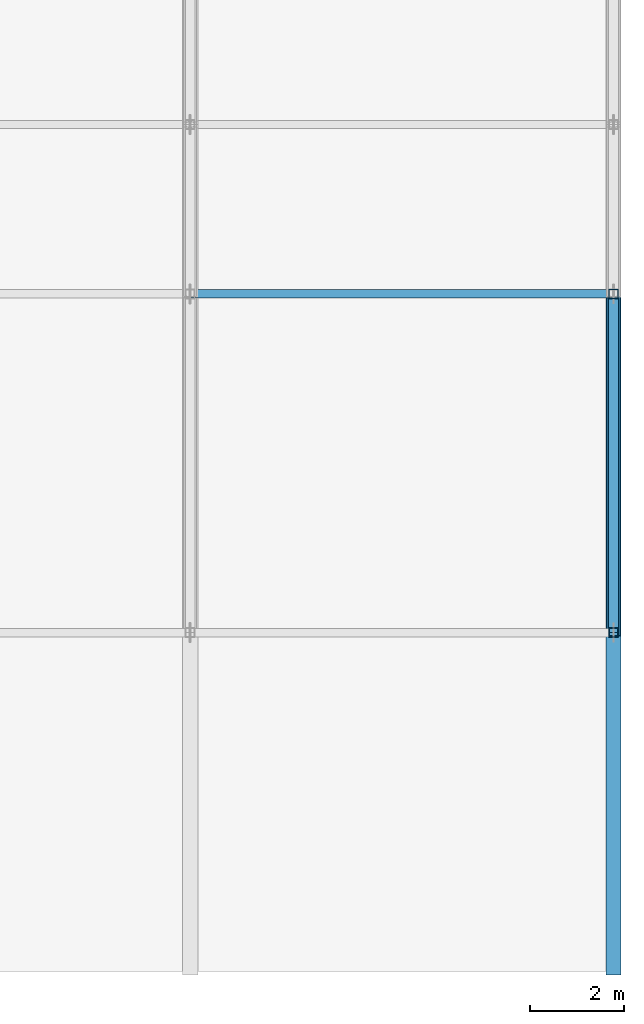
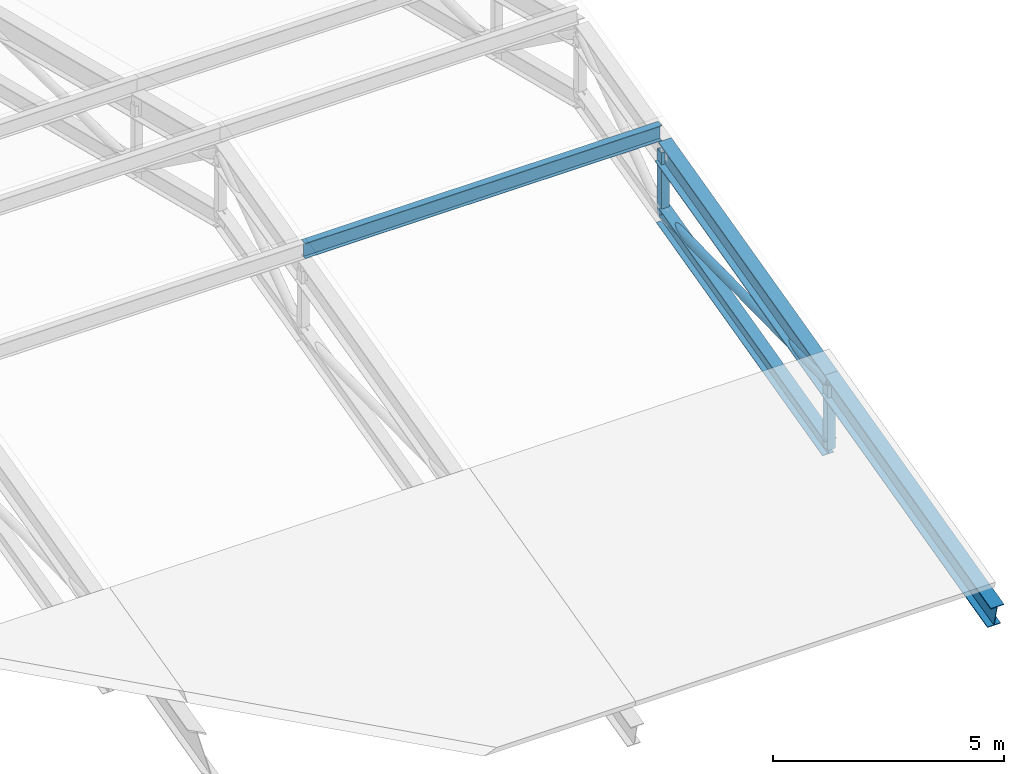
# One storey, part 46 of 124: 7 members.
"""IFC4 building model written with IfcOpenShell, lengths in metres."""

from ifc_helpers import new_model, si_unit, direction, frame, origin, origin_2d, place, context, subcontext, project, spatial, hollow_rectangle, hollow_circle, i_section, extrude, material, material_profile, profile_set, type_object, element, save


model = new_model("IFC4")

# Units and contexts
model_context = context("Model", 3, precision=1e-05, world=origin(), true_north=direction((0.0, 1.0)))
body_context = subcontext(model_context, "Body", "Model", "MODEL_VIEW")
ifc_project = project(units=[si_unit("LENGTHUNIT", "METRE"), si_unit("AREAUNIT", "SQUARE_METRE"), si_unit("VOLUMEUNIT", "CUBIC_METRE"), si_unit("PLANEANGLEUNIT", "RADIAN"), si_unit("MASSUNIT", "GRAM", prefix="KILO")], contexts=[model_context])

# Site, building, storey
site_placement = place(None, origin())
site = spatial("IfcSite", under=ifc_project, at=site_placement, CompositionType="ELEMENT")
building_placement = place(site_placement, origin())
building = spatial("IfcBuilding", under=site, at=building_placement, Name="Celestram Park Convention Centre", CompositionType="ELEMENT")
storey_placement = place(building_placement, frame((0.0, 0.0, 15.300048828125)))
storey = spatial("IfcBuildingStorey", under=building, at=storey_placement, Name="L03", CompositionType="ELEMENT", Elevation=15.300048828125)

# Members
ifc_material_1 = material(Name="Steel ASTM A500 Grade C", Category="steel")
ifc_material_profile_1 = material_profile(ifc_material_1, hollow_circle(Radius=0.109619140625, WallThickness=0.008056640625, at=origin_2d()), Name="CHS219X8")
ifc_profile_set_1 = profile_set([ifc_material_profile_1], Name="Steel ASTM A500 Grade C")
member_type_1 = type_object("IfcMemberType", Name="STR-BRC-CHS219", PredefinedType="BRACE", material=ifc_profile_set_1)
member_1_placement = place(storey_placement, frame((216.0, 7.199951171875, 0.907958984375), z_axis=(0.0, 0.999903373607, 0.013901203187), x_axis=(-1.0, 0.0, 0.0)))
element("IfcMember", 1, at=member_1_placement, inside=storey, type_object=member_type_1, Name="V3 arch web diagonal", PredefinedType="BRACE", context=body_context, shape_type="SweptSolid", body=[
    extrude(hollow_circle(Radius=0.109619140625, WallThickness=0.008056640625, at=origin_2d()), origin(), (0.0, 0.0, 1.0), 7.20068359375),
])
ifc_material_2 = material(Name="Steel ASTM A992 Grade 50", Category="steel")
ifc_material_profile_2 = material_profile(ifc_material_2, i_section(OverallWidth=0.281982421875, OverallDepth=0.467041015625, WebThickness=0.01220703125, FlangeThickness=0.01953125, at=origin_2d()), Name="W18X86")
ifc_profile_set_2 = profile_set([ifc_material_profile_2], Name="Steel ASTM A992 Grade 50")
member_type_2 = type_object("IfcMemberType", Name="STR-CHD-W18X86", PredefinedType="CHORD", material=ifc_profile_set_2)
member_2_placement = place(storey_placement, frame((216.0, 7.199951171875, -0.7919921875), z_axis=(0.0, 0.970140565046, 0.242543365301), x_axis=(-1.0, 0.0, 0.0)))
element("IfcMember", 2, at=member_2_placement, inside=storey, type_object=member_type_2, Name="V3 arch bottom chord", PredefinedType="CHORD", context=body_context, shape_type="SweptSolid", body=[
    extrude(i_section(OverallWidth=0.281982421875, OverallDepth=0.467041015625, WebThickness=0.01220703125, FlangeThickness=0.01953125, at=origin_2d()), origin(), (0.0, 0.0, 1.0), 7.421630859375),
])
ifc_material_profile_3 = material_profile(ifc_material_2, i_section(OverallWidth=0.327880859375, OverallDepth=0.6220703125, WebThickness=0.015380859375, FlangeThickness=0.0244140625, at=origin_2d()), Name="W24X131")
ifc_profile_set_3 = profile_set([ifc_material_profile_3], Name="Steel ASTM A992 Grade 50")
member_type_3 = type_object("IfcMemberType", Name="STR-CHD-W24X131", PredefinedType="CHORD", material=ifc_profile_set_3)
for number, where, z_axis, x_axis, name in (
    (3, (216.0, 0.0, -0.89208984375), (0.0, 0.970140565046, 0.242543365301), (-1.0, 0.0, 0.0), "V3 arch top chord"),
    (4, (216.0, 7.199951171875, 0.907958984375), (0.0, 0.970140565046, 0.242543365301), (-1.0, 0.0, 0.0), "V3 arch top chord"),
):
    element("IfcMember", number, at=place(storey_placement, frame(where, z_axis=z_axis, x_axis=x_axis)), inside=storey, type_object=member_type_3, Name=name, PredefinedType="CHORD", context=body_context, shape_type="SweptSolid", body=[
        extrude(i_section(OverallWidth=0.327880859375, OverallDepth=0.6220703125, WebThickness=0.015380859375, FlangeThickness=0.0244140625, at=origin_2d()), origin(), (0.0, 0.0, 1.0), 7.421630859375),
    ])
ifc_material_profile_4 = material_profile(ifc_material_2, i_section(OverallWidth=0.177978515625, OverallDepth=0.406005859375, WebThickness=0.0078125, FlangeThickness=0.0126953125, at=origin_2d()), Name="W16X40")
ifc_profile_set_4 = profile_set([ifc_material_profile_4], Name="Steel ASTM A992 Grade 50")
member_type_4 = type_object("IfcMemberType", Name="STR-RFT-W16X40", PredefinedType="RAFTER", material=ifc_profile_set_4)
member_3_placement = place(storey_placement, frame((207.0, 14.39990234375, 3.221923828125), z_axis=(1.0, 0.0, 0.0), x_axis=(0.0, 1.0, 0.0)))
element("IfcMember", 5, at=member_3_placement, inside=storey, type_object=member_type_4, Name="V3 roof purlin", PredefinedType="RAFTER", context=body_context, shape_type="SweptSolid", body=[
    extrude(i_section(OverallWidth=0.177978515625, OverallDepth=0.406005859375, WebThickness=0.0078125, FlangeThickness=0.0126953125, at=origin_2d()), origin(), (0.0, 0.0, 1.0), 8.919921875),
])
ifc_material_profile_5 = material_profile(ifc_material_1, hollow_rectangle(XDim=0.199951171875, YDim=0.199951171875, WallThickness=0.010009765625, at=origin_2d()), Name="HSS200X200X10")
ifc_profile_set_5 = profile_set([ifc_material_profile_5], Name="Steel ASTM A500 Grade C")
member_type_5 = type_object("IfcMemberType", Name="STR-STR-HSS200", PredefinedType="STRUT", material=ifc_profile_set_5)
for number, where, z_axis, x_axis, name in (
    (6, (216.0, 7.199951171875, -0.7919921875), (0.0, 0.0, 1.0), (1.0, 0.0, 0.0), "V3 arch vertical strut"),
    (7, (216.0, 14.39990234375, 1.008056640625), (0.0, 0.0, 1.0), (1.0, 0.0, 0.0), "V3 arch vertical strut"),
):
    element("IfcMember", number, at=place(storey_placement, frame(where, z_axis=z_axis, x_axis=x_axis)), inside=storey, type_object=member_type_5, Name=name, PredefinedType="STRUT", context=body_context, shape_type="SweptSolid", body=[
        extrude(hollow_rectangle(XDim=0.199951171875, YDim=0.199951171875, WallThickness=0.010009765625, at=origin_2d()), origin(), (0.0, 0.0, 1.0), 1.699951171875),
    ])

save(model, "model.ifc")
